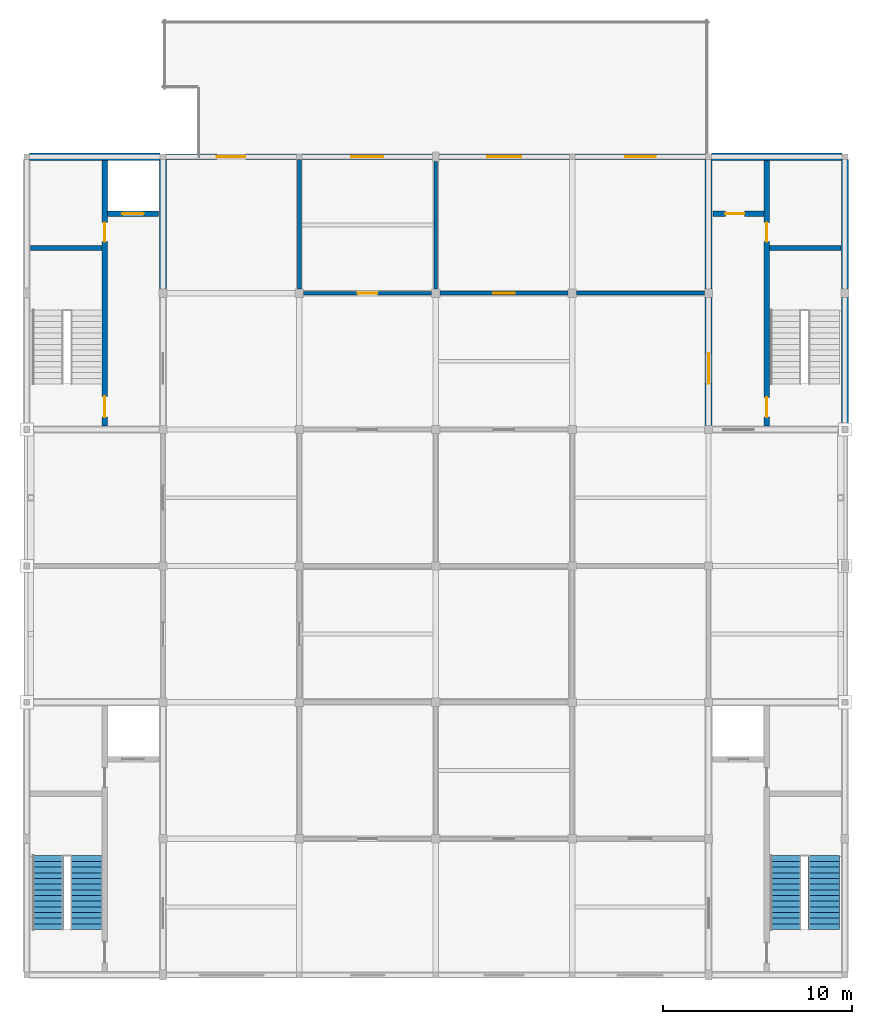
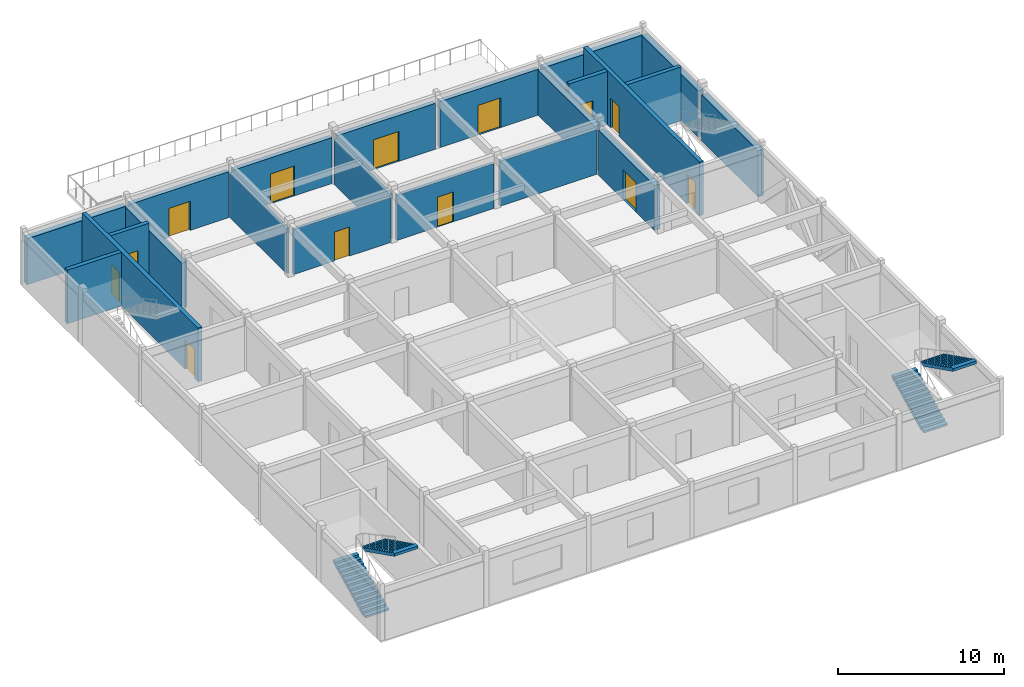
# One storey, part 4 of 6: 22 walls, 13 doors, 4 stair flights, 13 openings, 2 elements without a shape of their own.
"""IFC4 building model written with IfcOpenShell, lengths in metres."""

from ifc_helpers import new_model, si_unit, direction, frame, frame_2d, origin, place, context, subcontext, project, spatial, polyline, rectangle, outline, extrude, material, layer, layer_set, type_object, element, fill, aggregate, save


model = new_model("IFC4")

# Units and contexts
model_context = context("Model", 3, precision=1e-05, world=origin(), true_north=direction((0.0, 1.0)))
body_context = subcontext(model_context, "Body", "Model", "MODEL_VIEW")
ifc_project = project(units=[si_unit("LENGTHUNIT", "METRE"), si_unit("AREAUNIT", "SQUARE_METRE"), si_unit("VOLUMEUNIT", "CUBIC_METRE"), si_unit("PLANEANGLEUNIT", "RADIAN"), si_unit("MASSUNIT", "GRAM", prefix="KILO")], contexts=[model_context])

# Site, building, storey
site_placement = place(None, origin())
site = spatial("IfcSite", under=ifc_project, at=site_placement, CompositionType="ELEMENT")
building_placement = place(site_placement, origin())
building = spatial("IfcBuilding", under=site, at=building_placement, Name="Cendaluz Park School", CompositionType="ELEMENT")
storey_placement = place(building_placement, frame((0.0, 0.0, 63.0)))
storey = spatial("IfcBuildingStorey", under=building, at=storey_placement, Name="L15", CompositionType="ELEMENT", Elevation=63.0)

# Wall, opening, door
ifc_material_1 = material(Name="Gypsum Plasterboard on Cold-Formed Stud", Category="gypsum")
ifc_layer_1 = layer(ifc_material_1, 0.199951171875)
ifc_layer_set_1 = layer_set([ifc_layer_1], Name="Gypsum Plasterboard on Cold-Formed Stud")
wall_type_1 = type_object("IfcWallType", Name="W-AC20", PredefinedType="PARTITIONING", material=ifc_layer_set_1)
wall_1_placement = place(storey_placement, frame((79.419921875, 50.39990234375, 0.0), z_axis=(0.0, 0.0, 1.0), x_axis=(1.0, 0.0, 0.0)))
wall_1 = element("IfcWall", 1, at=wall_1_placement, inside=storey, type_object=wall_type_1, Name="WL-FP-BK7", PredefinedType="PARTITIONING", context=body_context, shape_type="SweptSolid", body=[
    extrude(rectangle(XDim=6.760009765625, YDim=0.199951171875, at=frame_2d((3.3798828125, 0.0))), origin(), (0.0, 0.0, 1.0), 3.31005859375),
])
opening_1_placement = place(wall_1_placement, frame((2.860107421875, 0.0, 0.0)))
opening_1 = element("IfcOpeningElement", 2, at=opening_1_placement, cuts=wall_1, Name="Opening DCL-03", PredefinedType="OPENING", context=body_context, shape_type="SweptSolid", body=[
    extrude(rectangle(XDim=1.0400390625, YDim=2.139892578125, at=frame_2d((0.52001953125, 1.06982421875))), frame((0.0, 0.112060546875, 0.0), z_axis=(0.0, -1.0, 0.0), x_axis=(1.0, 0.0, 0.0)), (0.0, 0.0, 1.0), 0.223876953125),
])
ifc_material_2 = material(Name="Solid Core Hardwood", Category="wood")
door_type_1 = type_object("IfcDoorType", Name="DCL-03", OperationType="NOTDEFINED", PredefinedType="DOOR", material=ifc_material_2)
door_1_placement = place(opening_1_placement, origin())
door_1 = element("IfcDoor", 3, at=door_1_placement, inside=storey, type_object=door_type_1, Name="D-L15-028", OperationType="SINGLE_SWING_RIGHT", OverallHeight=2.139892578125, OverallWidth=1.0400390625, PredefinedType="DOOR", context=body_context, shape_type="SweptSolid", body=[
    extrude(rectangle(XDim=1.0400390625, YDim=2.139892578125, at=frame_2d((0.52001953125, 1.06982421875))), frame((0.0, 0.02490234375, 0.0), z_axis=(0.0, -1.0, 0.0), x_axis=(1.0, 0.0, 0.0)), (0.0, 0.0, 1.0), 0.050048828125),
])
fill(opening_1, door_1)

# Walls
wall_2_placement = place(storey_placement, frame((79.199951171875, 50.6201171875, 0.0), z_axis=(0.0, 0.0, 1.0), x_axis=(0.0, 1.0, 0.0)))
element("IfcWall", 4, at=wall_2_placement, inside=storey, type_object=wall_type_1, Name="WL-FP-BK8", PredefinedType="PARTITIONING", context=body_context, shape_type="SweptSolid", body=[
    extrude(rectangle(XDim=6.829833984375, YDim=0.199951171875, at=frame_2d((3.4150390625, 0.0))), origin(), (0.0, 0.0, 1.0), 3.31005859375),
])
wall_3_placement = place(storey_placement, frame((86.39990234375, 50.6201171875, 0.0), z_axis=(0.0, 0.0, 1.0), x_axis=(0.0, 1.0, 0.0)))
element("IfcWall", 5, at=wall_3_placement, inside=storey, type_object=wall_type_1, Name="WL-FP-BK9", PredefinedType="PARTITIONING", context=body_context, shape_type="SweptSolid", body=[
    extrude(rectangle(XDim=6.719970703125, YDim=0.199951171875, at=frame_2d((3.35986328125, 0.0))), origin(), (0.0, 0.0, 1.0), 3.31005859375),
])

# Wall, opening, door
ifc_material_3 = material(Name="Cross-laminated timber CLT C24", Category="wood")
ifc_layer_2 = layer(ifc_material_3, 0.300048828125)
ifc_layer_set_2 = layer_set([ifc_layer_2], Name="Cross-laminated timber CLT C24")
wall_type_2 = type_object("IfcWallType", Name="W-EX30", PredefinedType="SOLIDWALL", material=ifc_layer_set_2)
wall_4_placement = place(storey_placement, frame((72.14990234375, 57.60009765625, 0.0), z_axis=(0.0, 0.0, 1.0), x_axis=(1.0, 0.0, 0.0)))
wall_4 = element("IfcWall", 6, at=wall_4_placement, inside=storey, type_object=wall_type_2, Name="WL-FP-AA3", PredefinedType="SOLIDWALL", context=body_context, shape_type="SweptSolid", body=[
    extrude(rectangle(XDim=6.900146484375, YDim=0.300048828125, at=frame_2d((3.4501953125, 0.0))), origin(), (0.0, 0.0, 1.0), 3.389892578125),
])
opening_2_placement = place(wall_4_placement, frame((2.699951171875, 0.0, 0.0)))
opening_2 = element("IfcOpeningElement", 7, at=opening_2_placement, cuts=wall_4, Name="Opening DPD-03", PredefinedType="OPENING", context=body_context, shape_type="SweptSolid", body=[
    extrude(rectangle(XDim=1.5, YDim=2.14990234375, at=frame_2d((0.75, 1.074951171875))), frame((0.0, 0.162109375, 0.0), z_axis=(0.0, -1.0, 0.0), x_axis=(1.0, 0.0, 0.0)), (0.0, 0.0, 1.0), 0.323974609375),
])
ifc_material_4 = material(Name="Architectural Bronze")
door_type_2 = type_object("IfcDoorType", Name="DPD-03", OperationType="DOUBLE_DOOR_SINGLE_SWING", PredefinedType="DOOR", material=ifc_material_4)
door_2_placement = place(opening_2_placement, origin())
door_2 = element("IfcDoor", 8, at=door_2_placement, inside=storey, type_object=door_type_2, Name="D-L15-001", OperationType="DOUBLE_DOOR_SINGLE_SWING", OverallHeight=2.14990234375, OverallWidth=1.5, PredefinedType="DOOR", context=body_context, shape_type="SweptSolid", body=[
    extrude(rectangle(XDim=1.5, YDim=2.14990234375, at=frame_2d((0.75, 1.074951171875))), frame((0.0, 0.02490234375, 0.0), z_axis=(0.0, -1.0, 0.0), x_axis=(1.0, 0.0, 0.0)), (0.0, 0.0, 1.0), 0.050048828125),
])
fill(opening_2, door_2)

wall_5_placement = place(storey_placement, frame((79.35009765625, 57.60009765625, 0.0), z_axis=(0.0, 0.0, 1.0), x_axis=(1.0, 0.0, 0.0)))
wall_5 = element("IfcWall", 9, at=wall_5_placement, inside=storey, type_object=wall_type_2, Name="WL-FP-AA5", PredefinedType="SOLIDWALL", context=body_context, shape_type="SweptSolid", body=[
    extrude(rectangle(XDim=6.869873046875, YDim=0.300048828125, at=frame_2d((3.43505859375, 0.0))), origin(), (0.0, 0.0, 1.0), 3.389892578125),
])
opening_3_placement = place(wall_5_placement, frame((2.5849609375, 0.0, 0.0)))
opening_3 = element("IfcOpeningElement", 10, at=opening_3_placement, cuts=wall_5, Name="Opening DPD-04", PredefinedType="OPENING", context=body_context, shape_type="SweptSolid", body=[
    extrude(rectangle(XDim=1.699951171875, YDim=2.199951171875, at=frame_2d((0.85009765625, 1.10009765625))), frame((0.0, 0.162109375, 0.0), z_axis=(0.0, -1.0, 0.0), x_axis=(1.0, 0.0, 0.0)), (0.0, 0.0, 1.0), 0.323974609375),
])
door_type_3 = type_object("IfcDoorType", Name="DPD-04", OperationType="DOUBLE_DOOR_SINGLE_SWING", PredefinedType="DOOR", material=ifc_material_4)
door_3_placement = place(opening_3_placement, origin())
door_3 = element("IfcDoor", 11, at=door_3_placement, inside=storey, type_object=door_type_3, Name="D-L15-002", OperationType="DOUBLE_DOOR_SINGLE_SWING", OverallHeight=2.199951171875, OverallWidth=1.699951171875, PredefinedType="DOOR", context=body_context, shape_type="SweptSolid", body=[
    extrude(rectangle(XDim=1.699951171875, YDim=2.199951171875, at=frame_2d((0.85009765625, 1.10009765625))), frame((0.0, 0.02490234375, 0.0), z_axis=(0.0, -1.0, 0.0), x_axis=(1.0, 0.0, 0.0)), (0.0, 0.0, 1.0), 0.050048828125),
])
fill(opening_3, door_3)

wall_6_placement = place(storey_placement, frame((86.580078125, 57.60009765625, 0.0), z_axis=(0.0, 0.0, 1.0), x_axis=(1.0, 0.0, 0.0)))
wall_6 = element("IfcWall", 12, at=wall_6_placement, inside=storey, type_object=wall_type_2, Name="WL-FP-AA7", PredefinedType="SOLIDWALL", context=body_context, shape_type="SweptSolid", body=[
    extrude(rectangle(XDim=6.869873046875, YDim=0.300048828125, at=frame_2d((3.43505859375, 0.0))), origin(), (0.0, 0.0, 1.0), 3.389892578125),
])
opening_4_placement = place(wall_6_placement, frame((2.534912109375, 0.0, 0.0)))
opening_4 = element("IfcOpeningElement", 13, at=opening_4_placement, cuts=wall_6, Name="Opening DPD-01", PredefinedType="OPENING", context=body_context, shape_type="SweptSolid", body=[
    extrude(rectangle(XDim=1.800048828125, YDim=2.199951171875, at=frame_2d((0.89990234375, 1.10009765625))), frame((0.0, 0.162109375, 0.0), z_axis=(0.0, -1.0, 0.0), x_axis=(1.0, 0.0, 0.0)), (0.0, 0.0, 1.0), 0.323974609375),
])
door_type_4 = type_object("IfcDoorType", Name="DPD-01", OperationType="DOUBLE_DOOR_SINGLE_SWING", PredefinedType="DOOR", material=ifc_material_4)
door_4_placement = place(opening_4_placement, origin())
door_4 = element("IfcDoor", 14, at=door_4_placement, inside=storey, type_object=door_type_4, Name="D-L15-003", OperationType="DOUBLE_DOOR_SINGLE_SWING", OverallHeight=2.199951171875, OverallWidth=1.800048828125, PredefinedType="DOOR", context=body_context, shape_type="SweptSolid", body=[
    extrude(rectangle(XDim=1.800048828125, YDim=2.199951171875, at=frame_2d((0.89990234375, 1.10009765625))), frame((0.0, 0.02490234375, 0.0), z_axis=(0.0, -1.0, 0.0), x_axis=(1.0, 0.0, 0.0)), (0.0, 0.0, 1.0), 0.050048828125),
])
fill(opening_4, door_4)

wall_7_placement = place(storey_placement, frame((93.75, 57.60009765625, 0.0), z_axis=(0.0, 0.0, 1.0), x_axis=(1.0, 0.0, 0.0)))
wall_7 = element("IfcWall", 15, at=wall_7_placement, inside=storey, type_object=wall_type_2, Name="WL-FP-AA9", PredefinedType="SOLIDWALL", context=body_context, shape_type="SweptSolid", body=[
    extrude(rectangle(XDim=6.89990234375, YDim=0.300048828125, at=frame_2d((3.449951171875, 0.0))), origin(), (0.0, 0.0, 1.0), 3.389892578125),
])
opening_5_placement = place(wall_7_placement, frame((2.64990234375, 0.0, 0.0)))
opening_5 = element("IfcOpeningElement", 16, at=opening_5_placement, cuts=wall_7, Name="Opening DPD-02", PredefinedType="OPENING", context=body_context, shape_type="SweptSolid", body=[
    extrude(rectangle(XDim=1.60009765625, YDim=2.199951171875, at=frame_2d((0.800048828125, 1.10009765625))), frame((0.0, 0.162109375, 0.0), z_axis=(0.0, -1.0, 0.0), x_axis=(1.0, 0.0, 0.0)), (0.0, 0.0, 1.0), 0.323974609375),
])
door_type_5 = type_object("IfcDoorType", Name="DPD-02", OperationType="DOUBLE_DOOR_SINGLE_SWING", PredefinedType="DOOR", material=ifc_material_4)
door_5_placement = place(opening_5_placement, origin())
door_5 = element("IfcDoor", 17, at=door_5_placement, inside=storey, type_object=door_type_5, Name="D-L15-004", OperationType="DOUBLE_DOOR_SINGLE_SWING", OverallHeight=2.199951171875, OverallWidth=1.60009765625, PredefinedType="DOOR", context=body_context, shape_type="SweptSolid", body=[
    extrude(rectangle(XDim=1.60009765625, YDim=2.199951171875, at=frame_2d((0.800048828125, 1.10009765625))), frame((0.0, 0.02490234375, 0.0), z_axis=(0.0, -1.0, 0.0), x_axis=(1.0, 0.0, 0.0)), (0.0, 0.0, 1.0), 0.050048828125),
])
fill(opening_5, door_5)

# Wall, openings, doors
ifc_material_5 = material(Name="Concrete C40/50", Category="concrete")
ifc_layer_3 = layer(ifc_material_5, 0.280029296875)
ifc_layer_set_3 = layer_set([ifc_layer_3], Name="Concrete C40/50")
wall_type_3 = type_object("IfcWallType", Name="W-FW28", PredefinedType="SHEAR", material=ifc_layer_set_3)
wall_8_placement = place(storey_placement, frame((68.919921875, 43.39990234375, 0.0), z_axis=(0.0, 0.0, 1.0), x_axis=(0.0, 1.0, 0.0)))
wall_8 = element("IfcWall", 18, at=wall_8_placement, inside=storey, type_object=wall_type_3, Name="WL-FP-BH6", PredefinedType="SHEAR", context=body_context, shape_type="SweptSolid", body=[
    extrude(rectangle(XDim=14.0, YDim=0.280029296875, at=frame_2d((7.0, 0.0))), origin(), (0.0, 0.0, 1.0), 3.9599609375),
])
opening_6_placement = place(wall_8_placement, frame((0.449951171875, 0.0, 0.0)))
opening_6 = element("IfcOpeningElement", 19, at=opening_6_placement, cuts=wall_8, Name="Opening DST-01", PredefinedType="OPENING", context=body_context, shape_type="SweptSolid", body=[
    extrude(rectangle(XDim=1.10009765625, YDim=2.14990234375, at=frame_2d((0.550048828125, 1.074951171875))), frame((0.0, 0.152099609375, 0.0), z_axis=(0.0, -1.0, 0.0), x_axis=(1.0, 0.0, 0.0)), (0.0, 0.0, 1.0), 0.303955078125),
])
opening_7_placement = place(wall_8_placement, frame((9.719970703125, 0.0, 0.0)))
opening_7 = element("IfcOpeningElement", 20, at=opening_7_placement, cuts=wall_8, Name="Opening DFC-01", PredefinedType="OPENING", context=body_context, shape_type="SweptSolid", body=[
    extrude(rectangle(XDim=1.0, YDim=2.14990234375, at=frame_2d((0.5, 1.074951171875))), frame((0.0, 0.152099609375, 0.0), z_axis=(0.0, -1.0, 0.0), x_axis=(1.0, 0.0, 0.0)), (0.0, 0.0, 1.0), 0.303955078125),
])
door_type_6 = type_object("IfcDoorType", Name="DFC-01", OperationType="NOTDEFINED", PredefinedType="DOOR", material=ifc_material_2)
door_6_placement = place(opening_7_placement, origin())
door_6 = element("IfcDoor", 21, at=door_6_placement, inside=storey, type_object=door_type_6, Name="D-L15-015", OperationType="SINGLE_SWING_LEFT", OverallHeight=2.14990234375, OverallWidth=1.0, PredefinedType="DOOR", context=body_context, shape_type="SweptSolid", body=[
    extrude(rectangle(XDim=1.0, YDim=2.14990234375, at=frame_2d((0.5, 1.074951171875))), frame((0.0, 0.02490234375, 0.0), z_axis=(0.0, -1.0, 0.0), x_axis=(1.0, 0.0, 0.0)), (0.0, 0.0, 1.0), 0.050048828125),
])
fill(opening_7, door_6)
door_type_7 = type_object("IfcDoorType", Name="DST-01", OperationType="NOTDEFINED", PredefinedType="DOOR", material=ifc_material_2)
door_7_placement = place(opening_6_placement, origin())
door_7 = element("IfcDoor", 22, at=door_7_placement, inside=storey, type_object=door_type_7, Name="D-L15-014", OperationType="SINGLE_SWING_LEFT", OverallHeight=2.14990234375, OverallWidth=1.10009765625, PredefinedType="DOOR", context=body_context, shape_type="SweptSolid", body=[
    extrude(rectangle(XDim=1.10009765625, YDim=2.14990234375, at=frame_2d((0.550048828125, 1.074951171875))), frame((0.0, 0.02490234375, 0.0), z_axis=(0.0, -1.0, 0.0), x_axis=(1.0, 0.0, 0.0)), (0.0, 0.0, 1.0), 0.050048828125),
])
fill(opening_6, door_7)

# Wall
wall_9_placement = place(storey_placement, frame((65.0, 52.780029296875, 0.0), z_axis=(0.0, 0.0, 1.0), x_axis=(1.0, 0.0, 0.0)))
element("IfcWall", 23, at=wall_9_placement, inside=storey, type_object=wall_type_3, Name="WL-FP-BH7", PredefinedType="SHEAR", context=body_context, shape_type="SweptSolid", body=[
    extrude(rectangle(XDim=3.780029296875, YDim=0.280029296875, at=frame_2d((1.89013671875, 0.0))), origin(), (0.0, 0.0, 1.0), 3.9599609375),
])

# Wall, opening, door
wall_10_placement = place(storey_placement, frame((69.080078125, 54.60009765625, 0.0), z_axis=(0.0, 0.0, 1.0), x_axis=(1.0, 0.0, 0.0)))
wall_10 = element("IfcWall", 24, at=wall_10_placement, inside=storey, type_object=wall_type_3, Name="WL-FP-BH8", PredefinedType="SHEAR", context=body_context, shape_type="SweptSolid", body=[
    extrude(rectangle(XDim=2.679931640625, YDim=0.280029296875, at=frame_2d((1.33984375, 0.0))), origin(), (0.0, 0.0, 1.0), 3.9599609375),
])
opening_8_placement = place(wall_10_placement, frame((0.764892578125, 0.0, 0.0)))
opening_8 = element("IfcOpeningElement", 25, at=opening_8_placement, cuts=wall_10, Name="Opening LD-01", PredefinedType="OPENING", context=body_context, shape_type="SweptSolid", body=[
    extrude(rectangle(XDim=1.14990234375, YDim=2.199951171875, at=frame_2d((0.574951171875, 1.10009765625))), frame((0.0, 0.152099609375, 0.0), z_axis=(0.0, -1.0, 0.0), x_axis=(1.0, 0.0, 0.0)), (0.0, 0.0, 1.0), 0.303955078125),
])
ifc_material_6 = material(Name="Stainless Steel 316L", Category="steel")
door_type_8 = type_object("IfcDoorType", Name="LD-01", OperationType="DOUBLE_DOOR_SLIDING", PredefinedType="DOOR", material=ifc_material_6)
door_8_placement = place(opening_8_placement, frame((1.14990234375, 0.0, 0.0), z_axis=(0.0, 0.0, 1.0), x_axis=(-1.0, 0.0, 0.0)))
door_8 = element("IfcDoor", 26, at=door_8_placement, inside=storey, type_object=door_type_8, Name="D-L15-016", OperationType="DOUBLE_DOOR_SLIDING", OverallHeight=2.199951171875, OverallWidth=1.14990234375, PredefinedType="DOOR", context=body_context, shape_type="SweptSolid", body=[
    extrude(rectangle(XDim=1.14990234375, YDim=2.199951171875, at=frame_2d((0.574951171875, 1.10009765625))), frame((0.0, 0.02490234375, 0.0), z_axis=(0.0, -1.0, 0.0), x_axis=(1.0, 0.0, 0.0)), (0.0, 0.0, 1.0), 0.050048828125),
])
fill(opening_8, door_8)

# Wall, openings, doors
wall_11_placement = place(storey_placement, frame((103.8798828125, 43.39990234375, 0.0), z_axis=(0.0, 0.0, 1.0), x_axis=(0.0, 1.0, 0.0)))
wall_11 = element("IfcWall", 27, at=wall_11_placement, inside=storey, type_object=wall_type_3, Name="WL-FP-BI5", PredefinedType="SHEAR", context=body_context, shape_type="SweptSolid", body=[
    extrude(rectangle(XDim=14.0, YDim=0.280029296875, at=frame_2d((7.0, 0.0))), origin(), (0.0, 0.0, 1.0), 3.9599609375),
])
opening_9_placement = place(wall_11_placement, frame((0.449951171875, 0.0, 0.0)))
opening_9 = element("IfcOpeningElement", 28, at=opening_9_placement, cuts=wall_11, Name="Opening DST-02", PredefinedType="OPENING", context=body_context, shape_type="SweptSolid", body=[
    extrude(rectangle(XDim=1.050048828125, YDim=2.14990234375, at=frame_2d((0.52490234375, 1.074951171875))), frame((0.0, 0.152099609375, 0.0), z_axis=(0.0, -1.0, 0.0), x_axis=(1.0, 0.0, 0.0)), (0.0, 0.0, 1.0), 0.303955078125),
])
opening_10_placement = place(wall_11_placement, frame((9.719970703125, 0.0, 0.0)))
opening_10 = element("IfcOpeningElement", 29, at=opening_10_placement, cuts=wall_11, Name="Opening DFC-01", PredefinedType="OPENING", context=body_context, shape_type="SweptSolid", body=[
    extrude(rectangle(XDim=1.0, YDim=2.14990234375, at=frame_2d((0.5, 1.074951171875))), frame((0.0, 0.152099609375, 0.0), z_axis=(0.0, -1.0, 0.0), x_axis=(1.0, 0.0, 0.0)), (0.0, 0.0, 1.0), 0.303955078125),
])
door_9_placement = place(opening_10_placement, frame((1.0, 0.0, 0.0), z_axis=(0.0, 0.0, 1.0), x_axis=(-1.0, 0.0, 0.0)))
door_9 = element("IfcDoor", 30, at=door_9_placement, inside=storey, type_object=door_type_6, Name="D-L15-020", OperationType="SINGLE_SWING_LEFT", OverallHeight=2.14990234375, OverallWidth=1.0, PredefinedType="DOOR", context=body_context, shape_type="SweptSolid", body=[
    extrude(rectangle(XDim=1.0, YDim=2.14990234375, at=frame_2d((0.5, 1.074951171875))), frame((0.0, 0.02490234375, 0.0), z_axis=(0.0, -1.0, 0.0), x_axis=(1.0, 0.0, 0.0)), (0.0, 0.0, 1.0), 0.050048828125),
])
fill(opening_10, door_9)
door_type_9 = type_object("IfcDoorType", Name="DST-02", OperationType="NOTDEFINED", PredefinedType="DOOR", material=ifc_material_2)
door_10_placement = place(opening_9_placement, frame((1.050048828125, 0.0, 0.0), z_axis=(0.0, 0.0, 1.0), x_axis=(-1.0, 0.0, 0.0)))
door_10 = element("IfcDoor", 31, at=door_10_placement, inside=storey, type_object=door_type_9, Name="D-L15-019", OperationType="SINGLE_SWING_RIGHT", OverallHeight=2.14990234375, OverallWidth=1.050048828125, PredefinedType="DOOR", context=body_context, shape_type="SweptSolid", body=[
    extrude(rectangle(XDim=1.050048828125, YDim=2.14990234375, at=frame_2d((0.52490234375, 1.074951171875))), frame((0.0, 0.02490234375, 0.0), z_axis=(0.0, -1.0, 0.0), x_axis=(1.0, 0.0, 0.0)), (0.0, 0.0, 1.0), 0.050048828125),
])
fill(opening_9, door_10)

# Wall
wall_12_placement = place(storey_placement, frame((104.02001953125, 52.780029296875, 0.0), z_axis=(0.0, 0.0, 1.0), x_axis=(1.0, 0.0, 0.0)))
element("IfcWall", 32, at=wall_12_placement, inside=storey, type_object=wall_type_3, Name="WL-FP-BI6", PredefinedType="SHEAR", context=body_context, shape_type="SweptSolid", body=[
    extrude(rectangle(XDim=3.780029296875, YDim=0.280029296875, at=frame_2d((1.89013671875, 0.0))), origin(), (0.0, 0.0, 1.0), 3.9599609375),
])

# Wall, opening, door
wall_13_placement = place(storey_placement, frame((101.0400390625, 54.60009765625, 0.0), z_axis=(0.0, 0.0, 1.0), x_axis=(1.0, 0.0, 0.0)))
wall_13 = element("IfcWall", 33, at=wall_13_placement, inside=storey, type_object=wall_type_3, Name="WL-FP-BI7", PredefinedType="SHEAR", context=body_context, shape_type="SweptSolid", body=[
    extrude(rectangle(XDim=2.679931640625, YDim=0.280029296875, at=frame_2d((1.33984375, 0.0))), origin(), (0.0, 0.0, 1.0), 3.9599609375),
])
opening_11_placement = place(wall_13_placement, frame((0.64990234375, 0.0, 0.0)))
opening_11 = element("IfcOpeningElement", 34, at=opening_11_placement, cuts=wall_13, Name="Opening DFC-01", PredefinedType="OPENING", context=body_context, shape_type="SweptSolid", body=[
    extrude(rectangle(XDim=1.0, YDim=2.14990234375, at=frame_2d((0.5, 1.074951171875))), frame((0.0, 0.152099609375, 0.0), z_axis=(0.0, -1.0, 0.0), x_axis=(1.0, 0.0, 0.0)), (0.0, 0.0, 1.0), 0.303955078125),
])
door_11_placement = place(opening_11_placement, frame((1.0, 0.0, 0.0), z_axis=(0.0, 0.0, 1.0), x_axis=(-1.0, 0.0, 0.0)))
door_11 = element("IfcDoor", 35, at=door_11_placement, inside=storey, type_object=door_type_6, Name="D-L15-021", OperationType="SINGLE_SWING_RIGHT", OverallHeight=2.14990234375, OverallWidth=1.0, PredefinedType="DOOR", context=body_context, shape_type="SweptSolid", body=[
    extrude(rectangle(XDim=1.0, YDim=2.14990234375, at=frame_2d((0.5, 1.074951171875))), frame((0.0, 0.02490234375, 0.0), z_axis=(0.0, -1.0, 0.0), x_axis=(1.0, 0.0, 0.0)), (0.0, 0.0, 1.0), 0.050048828125),
])
fill(opening_11, door_11)

ifc_layer_4 = layer(ifc_material_1, 0.219970703125)
ifc_layer_set_4 = layer_set([ifc_layer_4], Name="Gypsum Plasterboard on Cold-Formed Stud")
wall_type_4 = type_object("IfcWallType", Name="W-LB22", PredefinedType="PARTITIONING", material=ifc_layer_set_4)
wall_14_placement = place(storey_placement, frame((86.6201171875, 50.39990234375, 0.0), z_axis=(0.0, 0.0, 1.0), x_axis=(1.0, 0.0, 0.0)))
wall_14 = element("IfcWall", 36, at=wall_14_placement, inside=storey, type_object=wall_type_4, Name="WL-FP-BL3", PredefinedType="PARTITIONING", context=body_context, shape_type="SweptSolid", body=[
    extrude(rectangle(XDim=6.759765625, YDim=0.219970703125, at=frame_2d((3.3798828125, 0.0))), origin(), (0.0, 0.0, 1.0), 3.31005859375),
])
opening_12_placement = place(wall_14_placement, frame((2.820068359375, 0.0, 0.0)))
opening_12 = element("IfcOpeningElement", 37, at=opening_12_placement, cuts=wall_14, Name="Opening DCL-06", PredefinedType="OPENING", context=body_context, shape_type="SweptSolid", body=[
    extrude(rectangle(XDim=1.1201171875, YDim=2.199951171875, at=frame_2d((0.56005859375, 1.10009765625))), frame((0.0, 0.1220703125, 0.0), z_axis=(0.0, -1.0, 0.0), x_axis=(1.0, 0.0, 0.0)), (0.0, 0.0, 1.0), 0.243896484375),
])
door_type_10 = type_object("IfcDoorType", Name="DCL-06", OperationType="NOTDEFINED", PredefinedType="DOOR", material=ifc_material_2)
door_12_placement = place(opening_12_placement, frame((1.1201171875, 0.0, 0.0), z_axis=(0.0, 0.0, 1.0), x_axis=(-1.0, 0.0, 0.0)))
door_12 = element("IfcDoor", 38, at=door_12_placement, inside=storey, type_object=door_type_10, Name="D-L15-031", OperationType="SINGLE_SWING_LEFT", OverallHeight=2.199951171875, OverallWidth=1.1201171875, PredefinedType="DOOR", context=body_context, shape_type="SweptSolid", body=[
    extrude(rectangle(XDim=1.1201171875, YDim=2.199951171875, at=frame_2d((0.56005859375, 1.10009765625))), frame((0.0, 0.02490234375, 0.0), z_axis=(0.0, -1.0, 0.0), x_axis=(1.0, 0.0, 0.0)), (0.0, 0.0, 1.0), 0.050048828125),
])
fill(opening_12, door_12)

# Walls
wall_15_placement = place(storey_placement, frame((93.820068359375, 50.39990234375, 0.0), z_axis=(0.0, 0.0, 1.0), x_axis=(1.0, 0.0, 0.0)))
element("IfcWall", 39, at=wall_15_placement, inside=storey, type_object=wall_type_4, Name="WL-FP-BL4", PredefinedType="PARTITIONING", context=body_context, shape_type="SweptSolid", body=[
    extrude(rectangle(XDim=6.760009765625, YDim=0.219970703125, at=frame_2d((3.3798828125, 0.0))), origin(), (0.0, 0.0, 1.0), 3.31005859375),
])
ifc_layer_5 = layer(ifc_material_5, 0.3798828125)
ifc_layer_set_5 = layer_set([ifc_layer_5], Name="Concrete C40/50")
wall_type_5 = type_object("IfcWallType", Name="W-SH38", PredefinedType="SHEAR", material=ifc_layer_set_5)
wall_16_placement = place(storey_placement, frame((72.0, 50.6201171875, 0.0), z_axis=(0.0, 0.0, 1.0), x_axis=(0.0, 1.0, 0.0)))
element("IfcWall", 40, at=wall_16_placement, inside=storey, type_object=wall_type_5, Name="WL-FP-BH3", PredefinedType="SHEAR", context=body_context, shape_type="SweptSolid", body=[
    extrude(rectangle(XDim=6.829833984375, YDim=0.3798828125, at=frame_2d((3.4150390625, 0.0))), origin(), (0.0, 0.0, 1.0), 3.31005859375),
])
wall_17_placement = place(storey_placement, frame((64.949951171875, 57.60009765625, 0.0), z_axis=(0.0, 0.0, 1.0), x_axis=(1.0, 0.0, 0.0)))
element("IfcWall", 41, at=wall_17_placement, inside=storey, type_object=wall_type_5, Name="WL-FP-BH5", PredefinedType="SHEAR", context=body_context, shape_type="SweptSolid", body=[
    extrude(rectangle(XDim=6.900146484375, YDim=0.3798828125, at=frame_2d((3.4501953125, 0.0))), origin(), (0.0, 0.0, 1.0), 3.389892578125),
])

# Wall, opening, door
wall_18_placement = place(storey_placement, frame((100.800048828125, 43.419921875, 0.0), z_axis=(0.0, 0.0, 1.0), x_axis=(0.0, 1.0, 0.0)))
wall_18 = element("IfcWall", 42, at=wall_18_placement, inside=storey, type_object=wall_type_5, Name="WL-FP-BH9", PredefinedType="SHEAR", context=body_context, shape_type="SweptSolid", body=[
    extrude(rectangle(XDim=6.760009765625, YDim=0.3798828125, at=frame_2d((3.3798828125, 0.0))), origin(), (0.0, 0.0, 1.0), 3.31005859375),
])
opening_13_placement = place(wall_18_placement, frame((2.199951171875, 0.0, 0.0)))
opening_13 = element("IfcOpeningElement", 43, at=opening_13_placement, cuts=wall_18, Name="Opening DLB-01", PredefinedType="OPENING", context=body_context, shape_type="SweptSolid", body=[
    extrude(rectangle(XDim=1.60009765625, YDim=2.199951171875, at=frame_2d((0.800048828125, 1.10009765625))), frame((0.0, 0.201904296875, 0.0), z_axis=(0.0, -1.0, 0.0), x_axis=(1.0, 0.0, 0.0)), (0.0, 0.0, 1.0), 0.40380859375),
])
door_type_11 = type_object("IfcDoorType", Name="DLB-01", OperationType="DOUBLE_DOOR_SINGLE_SWING", PredefinedType="DOOR", material=ifc_material_2)
door_13_placement = place(opening_13_placement, frame((1.60009765625, 0.0, 0.0), z_axis=(0.0, 0.0, 1.0), x_axis=(-1.0, 0.0, 0.0)))
door_13 = element("IfcDoor", 44, at=door_13_placement, inside=storey, type_object=door_type_11, Name="D-L15-017", OperationType="DOUBLE_DOOR_SINGLE_SWING", OverallHeight=2.199951171875, OverallWidth=1.60009765625, PredefinedType="DOOR", context=body_context, shape_type="SweptSolid", body=[
    extrude(rectangle(XDim=1.60009765625, YDim=2.199951171875, at=frame_2d((0.800048828125, 1.10009765625))), frame((0.0, 0.02490234375, 0.0), z_axis=(0.0, -1.0, 0.0), x_axis=(1.0, 0.0, 0.0)), (0.0, 0.0, 1.0), 0.050048828125),
])
fill(opening_13, door_13)

# Walls
wall_19_placement = place(storey_placement, frame((100.800048828125, 50.6201171875, 0.0), z_axis=(0.0, 0.0, 1.0), x_axis=(0.0, 1.0, 0.0)))
element("IfcWall", 45, at=wall_19_placement, inside=storey, type_object=wall_type_5, Name="WL-FP-BI0", PredefinedType="SHEAR", context=body_context, shape_type="SweptSolid", body=[
    extrude(rectangle(XDim=6.829833984375, YDim=0.3798828125, at=frame_2d((3.4150390625, 0.0))), origin(), (0.0, 0.0, 1.0), 3.31005859375),
])
for number, where, z_axis, x_axis, name in (
    (46, (108.0, 43.35009765625, 0.0), (0.0, 0.0, 1.0), (0.0, 1.0, 0.0), "WL-FP-BI1"),
    (47, (108.0, 50.6201171875, 0.0), (0.0, 0.0, 1.0), (0.0, 1.0, 0.0), "WL-FP-BI2"),
):
    element("IfcWall", number, at=place(storey_placement, frame(where, z_axis=z_axis, x_axis=x_axis)), inside=storey, type_object=wall_type_5, Name=name, PredefinedType="SHEAR", context=body_context, shape_type="SweptSolid", body=[
        extrude(rectangle(XDim=6.829833984375, YDim=0.3798828125, at=frame_2d((3.4150390625, 0.0))), origin(), (0.0, 0.0, 1.0), 3.389892578125),
    ])
wall_20_placement = place(storey_placement, frame((100.949951171875, 57.60009765625, 0.0), z_axis=(0.0, 0.0, 1.0), x_axis=(1.0, 0.0, 0.0)))
element("IfcWall", 48, at=wall_20_placement, inside=storey, type_object=wall_type_5, Name="WL-FP-BI4", PredefinedType="SHEAR", context=body_context, shape_type="SweptSolid", body=[
    extrude(rectangle(XDim=6.900146484375, YDim=0.3798828125, at=frame_2d((3.4501953125, 0.0))), origin(), (0.0, 0.0, 1.0), 3.389892578125),
])

# Stair, stair flights
stair_type = type_object("IfcStairType", Name="ST-420-165", PredefinedType="HALF_TURN_STAIR", material=ifc_material_3)
stair_1_placement = place(storey_placement, origin())
stair_1 = element("IfcStair", 49, at=stair_1_placement, inside=storey, type_object=stair_type, Name="ST-L15-C1", PredefinedType="HALF_TURN_STAIR")
stair_flight_type = type_object("IfcStairFlightType", Name="SF-14-150-165", PredefinedType="STRAIGHT", material=ifc_material_3)
stair_flight_1_placement = place(storey_placement, frame((65.9150390625, 16.800048828125, 0.0), z_axis=(0.0, 0.0, 1.0), x_axis=(0.0, 1.0, 0.0)))
stair_flight_1 = element("IfcStairFlight", 50, at=stair_flight_1_placement, type_object=stair_flight_type, Name="SF-L15-C1-1", NumberOfRisers=14, NumberOfTreads=13, PredefinedType="STRAIGHT", RiserHeight=0.15, TreadLength=0.3, context=body_context, shape_type="SweptSolid", body=[
    extrude(outline(polyline([(0.0, 0.0), (0.0, 0.14990234375), (0.300048828125, 0.14990234375), (0.300048828125, 0.300048828125), (0.60009765625, 0.300048828125), (0.60009765625, 0.449951171875), (0.89990234375, 0.449951171875), (0.89990234375, 0.60009765625), (1.199951171875, 0.60009765625), (1.199951171875, 0.75), (1.5, 0.75), (1.5, 0.89990234375), (1.800048828125, 0.89990234375), (1.800048828125, 1.050048828125), (2.10009765625, 1.050048828125), (2.10009765625, 1.199951171875), (2.39990234375, 1.199951171875), (2.39990234375, 1.35009765625), (2.699951171875, 1.35009765625), (2.699951171875, 1.5), (3.0, 1.5), (3.0, 1.64990234375), (3.300048828125, 1.64990234375), (3.300048828125, 1.800048828125), (3.60009765625, 1.800048828125), (3.60009765625, 1.949951171875), (3.89990234375, 1.949951171875), (3.89990234375, 2.10009765625), (3.89990234375, 1.748779296875), (0.40234375, 0.0), (0.0, 0.0)])), frame((0.0, 0.824951171875, 0.0), z_axis=(0.0, -1.0, 0.0), x_axis=(1.0, 0.0, 0.0)), (0.0, 0.0, 1.0), 1.64990234375),
])
stair_flight_2_placement = place(storey_placement, frame((67.93505859375, 20.699951171875, 2.10009765625), z_axis=(0.0, 0.0, 1.0), x_axis=(0.0, -1.0, 0.0)))
stair_flight_2 = element("IfcStairFlight", 51, at=stair_flight_2_placement, type_object=stair_flight_type, Name="SF-L15-C1-2", NumberOfRisers=14, NumberOfTreads=13, PredefinedType="STRAIGHT", RiserHeight=0.15, TreadLength=0.3, context=body_context, shape_type="SweptSolid", body=[
    extrude(outline(polyline([(0.0, 0.0), (0.0, 0.14990234375), (0.300048828125, 0.14990234375), (0.300048828125, 0.300048828125), (0.60009765625, 0.300048828125), (0.60009765625, 0.449951171875), (0.89990234375, 0.449951171875), (0.89990234375, 0.60009765625), (1.199951171875, 0.60009765625), (1.199951171875, 0.75), (1.5, 0.75), (1.5, 0.89990234375), (1.800048828125, 0.89990234375), (1.800048828125, 1.050048828125), (2.10009765625, 1.050048828125), (2.10009765625, 1.199951171875), (2.39990234375, 1.199951171875), (2.39990234375, 1.35009765625), (2.699951171875, 1.35009765625), (2.699951171875, 1.5), (3.0, 1.5), (3.0, 1.64990234375), (3.300048828125, 1.64990234375), (3.300048828125, 1.800048828125), (3.60009765625, 1.800048828125), (3.60009765625, 1.949951171875), (3.89990234375, 1.949951171875), (3.89990234375, 2.10009765625), (3.89990234375, 1.748779296875), (0.40234375, 0.0), (0.0, 0.0)])), frame((0.0, 0.824951171875, 0.0), z_axis=(0.0, -1.0, 0.0), x_axis=(1.0, 0.0, 0.0)), (0.0, 0.0, 1.0), 1.64990234375),
])
aggregate(stair_1, [stair_flight_1, stair_flight_2])

stair_2_placement = place(storey_placement, origin())
stair_2 = element("IfcStair", 52, at=stair_2_placement, inside=storey, type_object=stair_type, Name="ST-L15-C2", PredefinedType="HALF_TURN_STAIR")
stair_flight_3_placement = place(storey_placement, frame((104.864990234375, 16.800048828125, 0.0), z_axis=(0.0, 0.0, 1.0), x_axis=(0.0, 1.0, 0.0)))
stair_flight_3 = element("IfcStairFlight", 53, at=stair_flight_3_placement, type_object=stair_flight_type, Name="SF-L15-C2-1", NumberOfRisers=14, NumberOfTreads=13, PredefinedType="STRAIGHT", RiserHeight=0.15, TreadLength=0.3, context=body_context, shape_type="SweptSolid", body=[
    extrude(outline(polyline([(0.0, 0.0), (0.0, 0.14990234375), (0.300048828125, 0.14990234375), (0.300048828125, 0.300048828125), (0.60009765625, 0.300048828125), (0.60009765625, 0.449951171875), (0.89990234375, 0.449951171875), (0.89990234375, 0.60009765625), (1.199951171875, 0.60009765625), (1.199951171875, 0.75), (1.5, 0.75), (1.5, 0.89990234375), (1.800048828125, 0.89990234375), (1.800048828125, 1.050048828125), (2.10009765625, 1.050048828125), (2.10009765625, 1.199951171875), (2.39990234375, 1.199951171875), (2.39990234375, 1.35009765625), (2.699951171875, 1.35009765625), (2.699951171875, 1.5), (3.0, 1.5), (3.0, 1.64990234375), (3.300048828125, 1.64990234375), (3.300048828125, 1.800048828125), (3.60009765625, 1.800048828125), (3.60009765625, 1.949951171875), (3.89990234375, 1.949951171875), (3.89990234375, 2.10009765625), (3.89990234375, 1.748779296875), (0.40234375, 0.0), (0.0, 0.0)])), frame((0.0, 0.824951171875, 0.0), z_axis=(0.0, -1.0, 0.0), x_axis=(1.0, 0.0, 0.0)), (0.0, 0.0, 1.0), 1.64990234375),
])
stair_flight_4_placement = place(storey_placement, frame((106.885009765625, 20.699951171875, 2.10009765625), z_axis=(0.0, 0.0, 1.0), x_axis=(0.0, -1.0, 0.0)))
stair_flight_4 = element("IfcStairFlight", 54, at=stair_flight_4_placement, type_object=stair_flight_type, Name="SF-L15-C2-2", NumberOfRisers=14, NumberOfTreads=13, PredefinedType="STRAIGHT", RiserHeight=0.15, TreadLength=0.3, context=body_context, shape_type="SweptSolid", body=[
    extrude(outline(polyline([(0.0, 0.0), (0.0, 0.14990234375), (0.300048828125, 0.14990234375), (0.300048828125, 0.300048828125), (0.60009765625, 0.300048828125), (0.60009765625, 0.449951171875), (0.89990234375, 0.449951171875), (0.89990234375, 0.60009765625), (1.199951171875, 0.60009765625), (1.199951171875, 0.75), (1.5, 0.75), (1.5, 0.89990234375), (1.800048828125, 0.89990234375), (1.800048828125, 1.050048828125), (2.10009765625, 1.050048828125), (2.10009765625, 1.199951171875), (2.39990234375, 1.199951171875), (2.39990234375, 1.35009765625), (2.699951171875, 1.35009765625), (2.699951171875, 1.5), (3.0, 1.5), (3.0, 1.64990234375), (3.300048828125, 1.64990234375), (3.300048828125, 1.800048828125), (3.60009765625, 1.800048828125), (3.60009765625, 1.949951171875), (3.89990234375, 1.949951171875), (3.89990234375, 2.10009765625), (3.89990234375, 1.748779296875), (0.40234375, 0.0), (0.0, 0.0)])), frame((0.0, 0.824951171875, 0.0), z_axis=(0.0, -1.0, 0.0), x_axis=(1.0, 0.0, 0.0)), (0.0, 0.0, 1.0), 1.64990234375),
])
aggregate(stair_2, [stair_flight_3, stair_flight_4])

save(model, "model.ifc")
